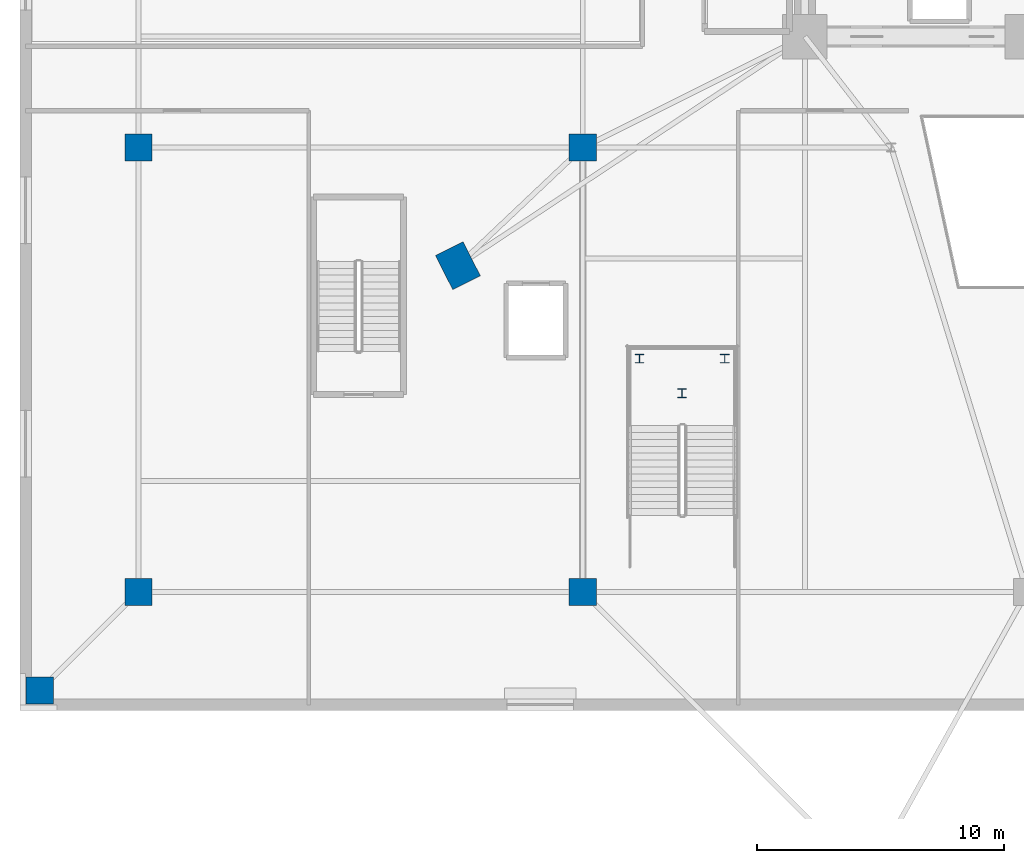
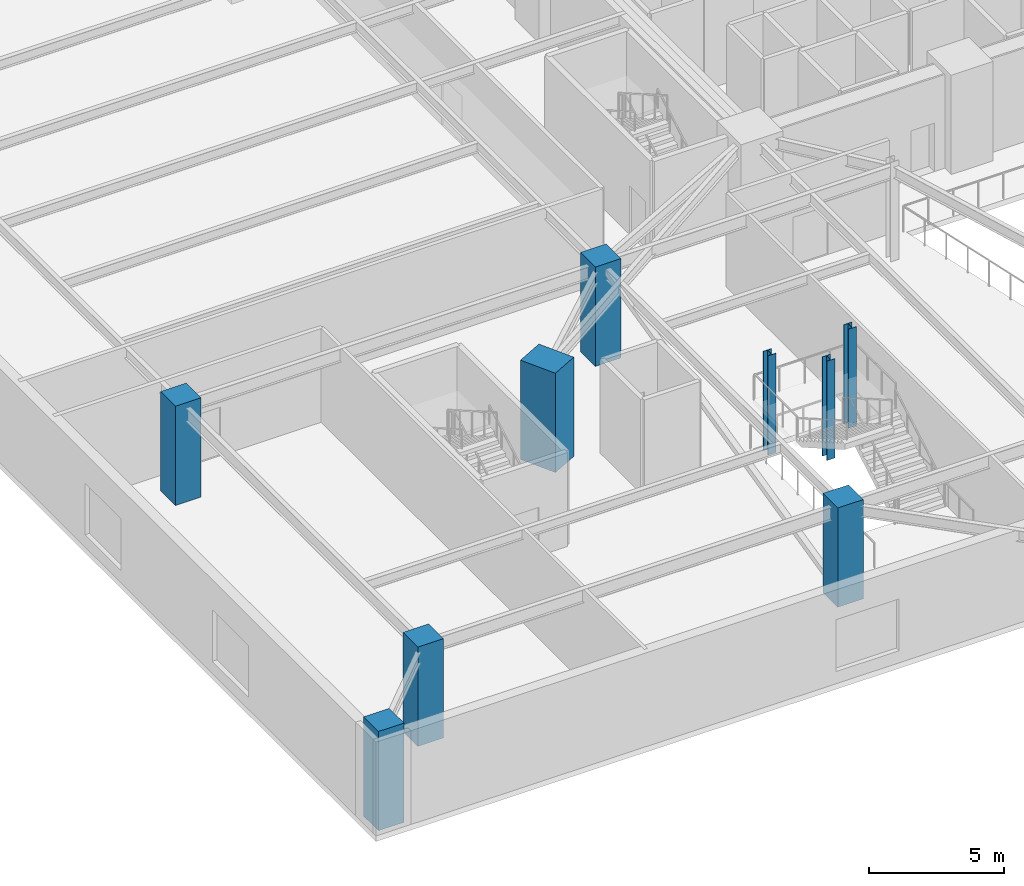
# One storey, part 1 of 16: 9 columns.
"""IFC4 building model written with IfcOpenShell, lengths in metres."""

from ifc_helpers import new_model, si_unit, direction, frame, origin, origin_2d, place, context, subcontext, project, spatial, rectangle, i_section, extrude, source, transform, mapped, material, material_profile, profile_set, type_object, element, save


model = new_model("IFC4")

# Units and contexts
model_context = context("Model", 3, precision=1e-05, world=origin(), true_north=direction((0.0, 1.0)))
body_context = subcontext(model_context, "Body", "Model", "MODEL_VIEW")
ifc_project = project(units=[si_unit("LENGTHUNIT", "METRE"), si_unit("AREAUNIT", "SQUARE_METRE"), si_unit("VOLUMEUNIT", "CUBIC_METRE"), si_unit("PLANEANGLEUNIT", "RADIAN"), si_unit("MASSUNIT", "GRAM", prefix="KILO")], contexts=[model_context])

# Site, building, storey
site_placement = place(None, origin())
site = spatial("IfcSite", under=ifc_project, at=site_placement, CompositionType="ELEMENT")
building_placement = place(site_placement, origin())
building = spatial("IfcBuilding", under=site, at=building_placement, Name="Liaohun Quay Tower", CompositionType="ELEMENT")
storey_placement = place(building_placement, frame((0.0, 0.0, 14.39990234375)))
storey = spatial("IfcBuildingStorey", under=building, at=storey_placement, Name="L04", CompositionType="ELEMENT", Elevation=14.39990234375)

# Columns
ifc_material_1 = material(Name="Concrete C60", Category="concrete")
ifc_material_profile_1 = material_profile(ifc_material_1, rectangle(XDim=1.550048828125, YDim=1.25, at=origin_2d()), Name="RC1550x1250")
ifc_profile_set_1 = profile_set([ifc_material_profile_1], Name="Concrete C60")
column_type_1 = type_object("IfcColumnType", Name="COL-PIER-Z1", PredefinedType="COLUMN", material=ifc_profile_set_1)
shared_shape_1 = source(origin(), body_context, "Body", "SweptSolid", [
    extrude(rectangle(XDim=1.550048828125, YDim=1.25, at=origin_2d()), origin(), (0.0, 0.0, 1.0), 4.5),
])
column_placement = place(storey_placement, frame((36.94091796875, 37.217041015625, 0.0), z_axis=(0.0, 0.0, 1.0), x_axis=(-0.451500573218, 0.892270829056, 0.0)))
element("IfcColumn", 1, at=column_placement, inside=storey, type_object=column_type_1, Name="L04 Tower Mega-Pier PC02", PredefinedType="COLUMN", context=body_context, shape_type="MappedRepresentation", body=[
    mapped(shared_shape_1, transform((0.0, 0.0, 0.0), x_axis=(1.0, 0.0, 0.0), y_axis=(0.0, 1.0, 0.0), z_axis=(0.0, 0.0, 1.0), scale=1.0)),
])
ifc_material_2 = material(Name="Concrete C55", Category="concrete")
ifc_material_profile_2 = material_profile(ifc_material_2, rectangle(XDim=1.10009765625, YDim=1.10009765625, at=origin_2d()), Name="RC1100x1100")
ifc_profile_set_2 = profile_set([ifc_material_profile_2], Name="Concrete C55")
column_type_2 = type_object("IfcColumnType", Name="COL-POD-P", PredefinedType="COLUMN", material=ifc_profile_set_2)
shared_shape_2 = source(origin(), body_context, "Body", "SweptSolid", [
    extrude(rectangle(XDim=1.10009765625, YDim=1.10009765625, at=origin_2d()), origin(), (0.0, 0.0, 1.0), 4.5),
])
for number, where, z_axis, x_axis, name in (
    (2, (24.0, 24.0, 0.0), (0.0, 0.0, 1.0), (1.0, 0.0, 0.0), "L04 Podium Column PG01"),
    (3, (42.0, 24.0, 0.0), (0.0, 0.0, 1.0), (1.0, 0.0, 0.0), "L04 Podium Column PG02"),
    (4, (24.0, 42.0, 0.0), (0.0, 0.0, 1.0), (1.0, 0.0, 0.0), "L04 Podium Column PG06"),
    (5, (42.0, 42.0, 0.0), (0.0, 0.0, 1.0), (1.0, 0.0, 0.0), "L04 Podium Column PG07"),
    (6, (20.0, 20.0, 0.0), (0.0, 0.0, 1.0), (1.0, 0.0, 0.0), "L04 Podium Column PT05"),
):
    element("IfcColumn", number, at=place(storey_placement, frame(where, z_axis=z_axis, x_axis=x_axis)), inside=storey, type_object=column_type_2, Name=name, PredefinedType="COLUMN", context=body_context, shape_type="MappedRepresentation", body=[
        mapped(shared_shape_2, transform((0.0, 0.0, 0.0), x_axis=(1.0, 0.0, 0.0), y_axis=(0.0, 1.0, 0.0), z_axis=(0.0, 0.0, 1.0), scale=1.0)),
    ])
ifc_material_3 = material(Name="Steel Q355D", Category="steel")
ifc_material_profile_3 = material_profile(ifc_material_3, i_section(OverallWidth=0.35009765625, OverallDepth=0.35009765625, WebThickness=0.011962890625, FlangeThickness=0.01904296875, at=origin_2d()), Name="HW350x350x12x19")
ifc_profile_set_3 = profile_set([ifc_material_profile_3], Name="Steel Q355D")
column_type_3 = type_object("IfcColumnType", Name="COL-STL-ATR", PredefinedType="COLUMN", material=ifc_profile_set_3)
shared_shape_3 = source(origin(), body_context, "Body", "SweptSolid", [
    extrude(i_section(OverallWidth=0.35009765625, OverallDepth=0.35009765625, WebThickness=0.011962890625, FlangeThickness=0.01904296875, at=origin_2d()), origin(), (0.0, 0.0, 1.0), 4.5),
])
for number, where, z_axis, x_axis, name in (
    (7, (44.300048828125, 33.449951171875, 0.0), (0.0, 0.0, 1.0), (1.0, 0.0, 0.0), "L04 Monumental Stair Support Post STA1"),
    (8, (47.75, 33.449951171875, 0.0), (0.0, 0.0, 1.0), (1.0, 0.0, 0.0), "L04 Monumental Stair Support Post STA2"),
    (9, (46.02001953125, 32.050048828125, 0.0), (0.0, 0.0, 1.0), (1.0, 0.0, 0.0), "L04 Monumental Stair Support Post STA3"),
):
    element("IfcColumn", number, at=place(storey_placement, frame(where, z_axis=z_axis, x_axis=x_axis)), inside=storey, type_object=column_type_3, Name=name, PredefinedType="COLUMN", context=body_context, shape_type="MappedRepresentation", body=[
        mapped(shared_shape_3, transform((0.0, 0.0, 0.0), x_axis=(1.0, 0.0, 0.0), y_axis=(0.0, 1.0, 0.0), z_axis=(0.0, 0.0, 1.0), scale=1.0)),
    ])

save(model, "model.ifc")
